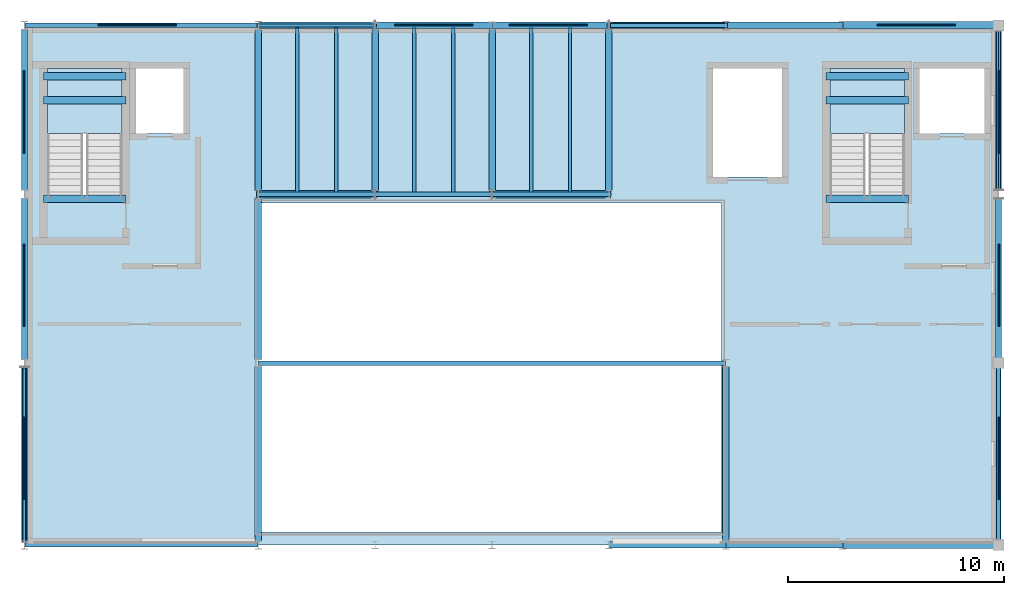
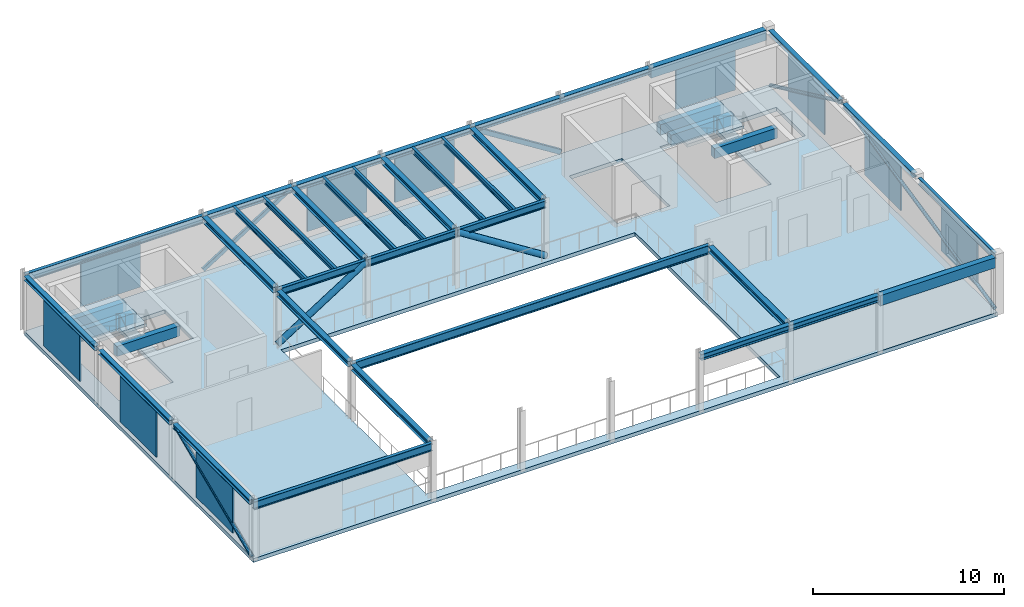
# One storey, part 3 of 12: 40 beams, 10 plates, 7 members, 3 slabs, 2 elements without a shape of their own.
"""IFC4 building model written with IfcOpenShell, lengths in metres."""

from ifc_helpers import new_model, si_unit, direction, frame, origin, origin_2d, place, context, subcontext, project, spatial, polyline, rectangle, hollow_rectangle, hollow_circle, i_section, outline, extrude, material, layer, layer_set, material_profile, profile_set, type_object, element, aggregate, save


model = new_model("IFC4")

# Units and contexts
model_context = context("Model", 3, precision=1e-05, world=origin(), true_north=direction((0.0, 1.0)))
body_context = subcontext(model_context, "Body", "Model", "MODEL_VIEW")
ifc_project = project(units=[si_unit("LENGTHUNIT", "METRE"), si_unit("AREAUNIT", "SQUARE_METRE"), si_unit("VOLUMEUNIT", "CUBIC_METRE"), si_unit("PLANEANGLEUNIT", "RADIAN"), si_unit("MASSUNIT", "GRAM", prefix="KILO")], contexts=[model_context])

# Site, building, storey
site_placement = place(None, origin())
site = spatial("IfcSite", under=ifc_project, at=site_placement, CompositionType="ELEMENT")
building_placement = place(site_placement, origin())
building = spatial("IfcBuilding", under=site, at=building_placement, Name="Tazoul Stagehouse", CompositionType="ELEMENT")
storey_placement = place(building_placement, frame((0.0, 0.0, 17.10009765625)))
storey = spatial("IfcBuildingStorey", under=building, at=storey_placement, Name="L04", CompositionType="ELEMENT", Elevation=17.10009765625)

# Members
ifc_material_1 = material(Name="Steel S355", Category="steel")
ifc_material_profile_1 = material_profile(ifc_material_1, hollow_circle(Radius=0.109619140625, WallThickness=0.010009765625, at=origin_2d()), Name="CHS 219.1x10")
ifc_profile_set_1 = profile_set([ifc_material_profile_1], Name="Steel S355")
member_type_1 = type_object("IfcMemberType", Name="Fly-Tower Upper Brace CHS 219.1x10 (Exterior)", PredefinedType="BRACE", material=ifc_profile_set_1)
member_1_placement = place(storey_placement, frame((57.60009765625, 87.919921875, 0.0498046875), z_axis=(0.0, 0.91797032685, 0.396649062804), x_axis=(-1.0, 0.0, 0.0)))
element("IfcMember", 1, at=member_1_placement, inside=storey, type_object=member_type_1, Name="L04 Concentric Brace BR-02E (BR-FT-L04-W1)", PredefinedType="BRACE", context=body_context, shape_type="SweptSolid", body=[
    extrude(hollow_circle(Radius=0.109619140625, WallThickness=0.010009765625, at=origin_2d()), origin(), (0.0, 0.0, 1.0), 8.823974609375),
])
member_2_placement = place(storey_placement, frame((102.60009765625, 88.050048828125, 0.119873046875), z_axis=(0.0, 0.97709879182, 0.212786162672), x_axis=(-1.0, 0.0, 0.0)))
element("IfcMember", 2, at=member_2_placement, inside=storey, type_object=member_type_1, Name="L04 Concentric Brace BR-02E (BR-FT-L04-E1)", PredefinedType="BRACE", context=body_context, shape_type="SweptSolid", body=[
    extrude(hollow_circle(Radius=0.109619140625, WallThickness=0.010009765625, at=origin_2d()), origin(), (0.0, 0.0, 1.0), 16.119140625),
])
member_3_placement = place(storey_placement, frame((102.60009765625, 111.550048828125, 0.119873046875), z_axis=(0.0, -0.906188522756, 0.422873930652), x_axis=(1.0, 0.0, 0.0)))
element("IfcMember", 3, at=member_3_placement, inside=storey, type_object=member_type_1, Name="L04 Concentric Brace BR-02E (BR-FT-L04-E2)", PredefinedType="BRACE", context=body_context, shape_type="SweptSolid", body=[
    extrude(hollow_circle(Radius=0.109619140625, WallThickness=0.010009765625, at=origin_2d()), origin(), (0.0, 0.0, 1.0), 8.111083984375),
])
ifc_material_profile_2 = material_profile(ifc_material_1, hollow_rectangle(XDim=0.199951171875, YDim=0.300048828125, WallThickness=0.012451171875, InnerFilletRadius=0.012451171875, OuterFilletRadius=0.018798828125, at=origin_2d()), Name="RHS 300x200x12.5")
ifc_profile_set_2 = profile_set([ifc_material_profile_2], Name="Steel S355")
member_type_2 = type_object("IfcMemberType", Name="Heavy Frame Brace RHS 300x200x12.5 (Exterior)", PredefinedType="BRACE", material=ifc_profile_set_2)
member_4_placement = place(storey_placement, frame((90.0, 111.800048828125, 0.14990234375), z_axis=(-0.84623539576, 0.0, 0.532809210659), x_axis=(0.0, -1.0, 0.0)))
element("IfcMember", 4, at=member_4_placement, inside=storey, type_object=member_type_2, Name="L04 Concentric Brace BR-06E (BR-FT-L04-N2)", PredefinedType="BRACE", context=body_context, shape_type="SweptSolid", body=[
    extrude(hollow_rectangle(XDim=0.199951171875, YDim=0.300048828125, WallThickness=0.012451171875, InnerFilletRadius=0.012451171875, OuterFilletRadius=0.018798828125, at=origin_2d()), origin(), (0.0, 0.0, 1.0), 6.381103515625),
])
ifc_material_profile_3 = material_profile(ifc_material_1, hollow_rectangle(XDim=0.14990234375, YDim=0.25, WallThickness=0.010009765625, InnerFilletRadius=0.010009765625, OuterFilletRadius=0.014892578125, at=origin_2d()), Name="RHS 250x150x10")
ifc_profile_set_3 = profile_set([ifc_material_profile_3], Name="Steel S355")
member_type_3 = type_object("IfcMemberType", Name="Lateral Frame Brace RHS 250x150x10 (Exterior)", PredefinedType="BRACE", material=ifc_profile_set_3)
member_5_placement = place(storey_placement, frame((68.39990234375, 111.800048828125, 0.14990234375), z_axis=(0.846246256707, 0.0, 0.532791960346), x_axis=(0.0, 1.0, 0.0)))
element("IfcMember", 5, at=member_5_placement, inside=storey, type_object=member_type_3, Name="L04 Concentric Brace BR-05E (BR-FT-L04-N1)", PredefinedType="BRACE", context=body_context, shape_type="SweptSolid", body=[
    extrude(hollow_rectangle(XDim=0.14990234375, YDim=0.25, WallThickness=0.010009765625, InnerFilletRadius=0.010009765625, OuterFilletRadius=0.014892578125, at=origin_2d()), origin(), (0.0, 0.0, 1.0), 6.38134765625),
])

# Beams
ifc_material_2 = material(Name="Concrete C40/50", Category="concrete")
ifc_material_profile_4 = material_profile(ifc_material_2, rectangle(XDim=0.35009765625, YDim=0.64990234375, at=origin_2d()), Name="RC 350x650")
ifc_profile_set_4 = profile_set([ifc_material_profile_4], Name="Concrete C40/50")
beam_type_1 = type_object("IfcBeamType", Name="RC Perimeter Spandrel 350x650 (Exterior)", PredefinedType="SPANDREL", material=ifc_profile_set_4)
for number, where, z_axis, x_axis, name in (
    (6, (95.409912109375, 87.800048828125, 3.352783203125), (1.0, 0.0, 0.0), (0.0, 1.0, 0.0), "L04 Beam SP-01E N/15-16"),
    (7, (95.409912109375, 111.800048828125, 3.352783203125), (1.0, 0.0, 0.0), (0.0, 1.0, 0.0), "L04 Beam SP-01E R/15-16"),
):
    element("IfcBeam", number, at=place(storey_placement, frame(where, z_axis=z_axis, x_axis=x_axis)), inside=storey, type_object=beam_type_1, Name=name, PredefinedType="SPANDREL", context=body_context, shape_type="SweptSolid", body=[
        extrude(rectangle(XDim=0.35009765625, YDim=0.64990234375, at=origin_2d()), origin(), (0.0, 0.0, 1.0), 6.965087890625),
    ])
ifc_material_profile_5 = material_profile(ifc_material_2, rectangle(XDim=0.35009765625, YDim=0.64990234375, at=origin_2d()), Name="RC 350x650")
ifc_profile_set_5 = profile_set([ifc_material_profile_5], Name="Concrete C40/50")
beam_type_2 = type_object("IfcBeamType", Name="RC Primary Girder 350x650", PredefinedType="BEAM", material=ifc_profile_set_5)
for number, where, z_axis, x_axis, name in (
    (8, (94.6201171875, 108.35009765625, 1.429931640625), (1.0, 0.0, 0.0), (0.0, 1.0, 0.0), "L04 Stair Half-Landing Trimmer BM-01 (ST-01-1)"),
    (9, (94.6201171875, 109.449951171875, 1.429931640625), (1.0, 0.0, 0.0), (0.0, 1.0, 0.0), "L04 Stair Half-Landing Trimmer BM-01 (ST-01-2)"),
    (10, (94.6201171875, 103.800048828125, 3.3349609375), (1.0, 0.0, 0.0), (0.0, 1.0, 0.0), "L04 Stair Landing Trimmer BM-01 (ST-01-FL)"),
):
    element("IfcBeam", number, at=place(storey_placement, frame(where, z_axis=z_axis, x_axis=x_axis)), inside=storey, type_object=beam_type_2, Name=name, PredefinedType="BEAM", context=body_context, shape_type="SweptSolid", body=[
        extrude(rectangle(XDim=0.35009765625, YDim=0.64990234375, at=origin_2d()), origin(), (0.0, 0.0, 1.0), 3.809814453125),
    ])
for number, where, z_axis, x_axis, name in (
    (11, (58.469970703125, 108.35009765625, 1.429931640625), (1.0, 0.0, 0.0), (0.0, 1.0, 0.0), "L04 Stair Half-Landing Trimmer BM-01 (ST-03-1)"),
    (12, (58.469970703125, 109.449951171875, 1.429931640625), (1.0, 0.0, 0.0), (0.0, 1.0, 0.0), "L04 Stair Half-Landing Trimmer BM-01 (ST-03-2)"),
    (13, (58.469970703125, 103.800048828125, 3.3349609375), (1.0, 0.0, 0.0), (0.0, 1.0, 0.0), "L04 Stair Landing Trimmer BM-01 (ST-03-FL)"),
):
    element("IfcBeam", number, at=place(storey_placement, frame(where, z_axis=z_axis, x_axis=x_axis)), inside=storey, type_object=beam_type_2, Name=name, PredefinedType="BEAM", context=body_context, shape_type="SweptSolid", body=[
        extrude(rectangle(XDim=0.35009765625, YDim=0.64990234375, at=origin_2d()), origin(), (0.0, 0.0, 1.0), 3.81005859375),
    ])

# Members
ifc_material_profile_6 = material_profile(ifc_material_1, hollow_circle(Radius=0.177734375, WallThickness=0.01416015625, at=origin_2d()), Name="CHS 355.6x14.2")
ifc_profile_set_6 = profile_set([ifc_material_profile_6], Name="Steel S355")
member_type_4 = type_object("IfcMemberType", Name="Stagehouse Frame Brace CHS 355.6x14.2", PredefinedType="BRACE", material=ifc_profile_set_6)
for number, where, z_axis, x_axis, name in (
    (14, (68.39990234375, 104.0, 0.119873046875), (0.84412316984, 0.0, 0.536149302097), (0.0, 1.0, 0.0), "L04 Concentric Brace BR-04 (BR-FT-L04-IN1)"),
    (15, (84.60009765625, 104.0, 0.119873046875), (-0.84412316984, 0.0, 0.536149302097), (0.0, -1.0, 0.0), "L04 Concentric Brace BR-04 (BR-FT-L04-IN2)"),
):
    element("IfcMember", number, at=place(storey_placement, frame(where, z_axis=z_axis, x_axis=x_axis)), inside=storey, type_object=member_type_4, Name=name, PredefinedType="BRACE", context=body_context, shape_type="SweptSolid", body=[
        extrude(hollow_circle(Radius=0.177734375, WallThickness=0.01416015625, at=origin_2d()), origin(), (0.0, 0.0, 1.0), 6.3974609375),
    ])

# Beams
ifc_material_profile_7 = material_profile(ifc_material_1, i_section(OverallWidth=0.280029296875, OverallDepth=0.27001953125, WebThickness=0.008056640625, FlangeThickness=0.012939453125, FilletRadius=0.02392578125, at=origin_2d()), Name="HEA 280")
ifc_profile_set_7 = profile_set([ifc_material_profile_7], Name="Steel S355")
beam_type_3 = type_object("IfcBeamType", Name="Steel Facade Spandrel HEA 280 (Exterior)", PredefinedType="SPANDREL", material=ifc_profile_set_7)
beam_1_placement = place(storey_placement, frame((57.60009765625, 87.97509765625, 3.54296875), z_axis=(0.0, 1.0, 0.0), x_axis=(-1.0, 0.0, 0.0)))
element("IfcBeam", 16, at=beam_1_placement, inside=storey, type_object=beam_type_3, Name="L04 Beam SP-02E 8/N-P", PredefinedType="SPANDREL", context=body_context, shape_type="SweptSolid", body=[
    extrude(i_section(OverallWidth=0.280029296875, OverallDepth=0.27001953125, WebThickness=0.008056640625, FlangeThickness=0.012939453125, FilletRadius=0.02392578125, at=origin_2d()), origin(), (0.0, 0.0, 1.0), 8.06982421875),
])
beam_2_placement = place(storey_placement, frame((57.60009765625, 96.35498046875, 3.54296875), z_axis=(0.0, 1.0, 0.0), x_axis=(-1.0, 0.0, 0.0)))
element("IfcBeam", 17, at=beam_2_placement, inside=storey, type_object=beam_type_3, Name="L04 Beam SP-02E 8/P-Q", PredefinedType="SPANDREL", context=body_context, shape_type="SweptSolid", body=[
    extrude(i_section(OverallWidth=0.280029296875, OverallDepth=0.27001953125, WebThickness=0.008056640625, FlangeThickness=0.012939453125, FilletRadius=0.02392578125, at=origin_2d()), origin(), (0.0, 0.0, 1.0), 7.469970703125),
])
beam_3_placement = place(storey_placement, frame((57.60009765625, 104.175048828125, 3.54296875), z_axis=(0.0, 1.0, 0.0), x_axis=(-1.0, 0.0, 0.0)))
element("IfcBeam", 18, at=beam_3_placement, inside=storey, type_object=beam_type_3, Name="L04 Beam SP-02E 8/Q-R", PredefinedType="SPANDREL", context=body_context, shape_type="SweptSolid", body=[
    extrude(i_section(OverallWidth=0.280029296875, OverallDepth=0.27001953125, WebThickness=0.008056640625, FlangeThickness=0.012939453125, FilletRadius=0.02392578125, at=origin_2d()), origin(), (0.0, 0.0, 1.0), 7.449951171875),
])
for number, where, z_axis, x_axis, name in (
    (19, (102.60009765625, 96.425048828125, 3.54296875), (0.0, 1.0, 0.0), (-1.0, 0.0, 0.0), "L04 Beam SP-02E 16/P-Q"),
    (20, (102.60009765625, 104.175048828125, 3.54296875), (0.0, 1.0, 0.0), (-1.0, 0.0, 0.0), "L04 Beam SP-02E 16/Q-R"),
):
    element("IfcBeam", number, at=place(storey_placement, frame(where, z_axis=z_axis, x_axis=x_axis)), inside=storey, type_object=beam_type_3, Name=name, PredefinedType="SPANDREL", context=body_context, shape_type="SweptSolid", body=[
        extrude(i_section(OverallWidth=0.280029296875, OverallDepth=0.27001953125, WebThickness=0.008056640625, FlangeThickness=0.012939453125, FilletRadius=0.02392578125, at=origin_2d()), origin(), (0.0, 0.0, 1.0), 7.39990234375),
    ])
ifc_material_profile_8 = material_profile(ifc_material_1, i_section(OverallWidth=0.300048828125, OverallDepth=0.35009765625, WebThickness=0.010009765625, FlangeThickness=0.017578125, FilletRadius=0.027099609375, at=origin_2d()), Name="HEA 360")
ifc_profile_set_8 = profile_set([ifc_material_profile_8], Name="Steel S355")
beam_type_4 = type_object("IfcBeamType", Name="Steel Fly-Tower Ring Beam HEA 360", PredefinedType="BEAM", material=ifc_profile_set_8)
beam_4_placement = place(storey_placement, frame((68.39990234375, 87.97509765625, 3.5029296875), z_axis=(0.0, 1.0, 0.0), x_axis=(-1.0, 0.0, 0.0)))
element("IfcBeam", 21, at=beam_4_placement, inside=storey, type_object=beam_type_4, Name="L04 Beam SB-07 10/N-P", PredefinedType="BEAM", context=body_context, shape_type="SweptSolid", body=[
    extrude(i_section(OverallWidth=0.300048828125, OverallDepth=0.35009765625, WebThickness=0.010009765625, FlangeThickness=0.017578125, FilletRadius=0.027099609375, at=origin_2d()), origin(), (0.0, 0.0, 1.0), 8.06982421875),
])
beam_5_placement = place(storey_placement, frame((68.39990234375, 96.35498046875, 3.5029296875), z_axis=(0.0, 1.0, 0.0), x_axis=(-1.0, 0.0, 0.0)))
element("IfcBeam", 22, at=beam_5_placement, inside=storey, type_object=beam_type_4, Name="L04 Beam SB-07 10/P-Q", PredefinedType="BEAM", context=body_context, shape_type="SweptSolid", body=[
    extrude(i_section(OverallWidth=0.300048828125, OverallDepth=0.35009765625, WebThickness=0.010009765625, FlangeThickness=0.017578125, FilletRadius=0.027099609375, at=origin_2d()), origin(), (0.0, 0.0, 1.0), 7.469970703125),
])
beam_6_placement = place(storey_placement, frame((68.39990234375, 104.175048828125, 3.5029296875), z_axis=(0.0, 1.0, 0.0), x_axis=(-1.0, 0.0, 0.0)))
element("IfcBeam", 23, at=beam_6_placement, inside=storey, type_object=beam_type_4, Name="L04 Beam SB-07 10/Q-R", PredefinedType="BEAM", context=body_context, shape_type="SweptSolid", body=[
    extrude(i_section(OverallWidth=0.300048828125, OverallDepth=0.35009765625, WebThickness=0.010009765625, FlangeThickness=0.017578125, FilletRadius=0.027099609375, at=origin_2d()), origin(), (0.0, 0.0, 1.0), 7.449951171875),
])
for number, where, z_axis, x_axis, name in (
    (24, (73.800048828125, 104.155029296875, 3.5029296875), (0.0, 1.0, 0.0), (-1.0, 0.0, 0.0), "L04 Beam SB-07 11/Q-R"),
    (25, (79.199951171875, 104.155029296875, 3.5029296875), (0.0, 1.0, 0.0), (-1.0, 0.0, 0.0), "L04 Beam SB-07 12/Q-R"),
    (26, (84.60009765625, 104.155029296875, 3.5029296875), (0.0, 1.0, 0.0), (-1.0, 0.0, 0.0), "L04 Beam SB-07 13/Q-R"),
):
    element("IfcBeam", number, at=place(storey_placement, frame(where, z_axis=z_axis, x_axis=x_axis)), inside=storey, type_object=beam_type_4, Name=name, PredefinedType="BEAM", context=body_context, shape_type="SweptSolid", body=[
        extrude(i_section(OverallWidth=0.300048828125, OverallDepth=0.35009765625, WebThickness=0.010009765625, FlangeThickness=0.017578125, FilletRadius=0.027099609375, at=origin_2d()), origin(), (0.0, 0.0, 1.0), 7.489990234375),
    ])
beam_7_placement = place(storey_placement, frame((90.0, 87.97509765625, 3.5029296875), z_axis=(0.0, 1.0, 0.0), x_axis=(-1.0, 0.0, 0.0)))
element("IfcBeam", 27, at=beam_7_placement, inside=storey, type_object=beam_type_4, Name="L04 Beam SB-07 14/N-P", PredefinedType="BEAM", context=body_context, shape_type="SweptSolid", body=[
    extrude(i_section(OverallWidth=0.300048828125, OverallDepth=0.35009765625, WebThickness=0.010009765625, FlangeThickness=0.017578125, FilletRadius=0.027099609375, at=origin_2d()), origin(), (0.0, 0.0, 1.0), 8.06982421875),
])
ifc_material_profile_9 = material_profile(ifc_material_1, i_section(OverallWidth=0.300048828125, OverallDepth=0.389892578125, WebThickness=0.010986328125, FlangeThickness=0.01904296875, FilletRadius=0.027099609375, at=origin_2d()), Name="HEA 400")
ifc_profile_set_9 = profile_set([ifc_material_profile_9], Name="Steel S355")
beam_type_5 = type_object("IfcBeamType", Name="Steel Fly-Tower Spandrel HEA 400 (Exterior)", PredefinedType="SPANDREL", material=ifc_profile_set_9)
for number, where, z_axis, x_axis, name in (
    (28, (84.610107421875, 87.800048828125, 3.48291015625), (1.0, 0.0, 0.0), (0.0, 1.0, 0.0), "L04 Beam SP-04E N/13-14"),
    (29, (90.010009765625, 87.800048828125, 3.48291015625), (1.0, 0.0, 0.0), (0.0, 1.0, 0.0), "L04 Beam SP-04E N/14-15"),
):
    element("IfcBeam", number, at=place(storey_placement, frame(where, z_axis=z_axis, x_axis=x_axis)), inside=storey, type_object=beam_type_5, Name=name, PredefinedType="SPANDREL", context=body_context, shape_type="SweptSolid", body=[
        extrude(i_section(OverallWidth=0.300048828125, OverallDepth=0.389892578125, WebThickness=0.010986328125, FlangeThickness=0.01904296875, FilletRadius=0.027099609375, at=origin_2d()), origin(), (0.0, 0.0, 1.0), 5.3798828125),
    ])
beam_8_placement = place(storey_placement, frame((68.409912109375, 111.800048828125, 3.48291015625), z_axis=(1.0, 0.0, 0.0), x_axis=(0.0, 1.0, 0.0)))
element("IfcBeam", 30, at=beam_8_placement, inside=storey, type_object=beam_type_5, Name="L04 Beam SP-04E R/10-11", PredefinedType="SPANDREL", context=body_context, shape_type="SweptSolid", body=[
    extrude(i_section(OverallWidth=0.300048828125, OverallDepth=0.389892578125, WebThickness=0.010986328125, FlangeThickness=0.01904296875, FilletRadius=0.027099609375, at=origin_2d()), origin(), (0.0, 0.0, 1.0), 5.380126953125),
])
beam_9_placement = place(storey_placement, frame((73.81005859375, 111.800048828125, 3.48291015625), z_axis=(1.0, 0.0, 0.0), x_axis=(0.0, 1.0, 0.0)))
element("IfcBeam", 31, at=beam_9_placement, inside=storey, type_object=beam_type_5, Name="L04 Beam SP-04E R/11-12", PredefinedType="SPANDREL", context=body_context, shape_type="SweptSolid", body=[
    extrude(i_section(OverallWidth=0.300048828125, OverallDepth=0.389892578125, WebThickness=0.010986328125, FlangeThickness=0.01904296875, FilletRadius=0.027099609375, at=origin_2d()), origin(), (0.0, 0.0, 1.0), 5.3798828125),
])
beam_10_placement = place(storey_placement, frame((79.2099609375, 111.800048828125, 3.48291015625), z_axis=(1.0, 0.0, 0.0), x_axis=(0.0, 1.0, 0.0)))
element("IfcBeam", 32, at=beam_10_placement, inside=storey, type_object=beam_type_5, Name="L04 Beam SP-04E R/12-13", PredefinedType="SPANDREL", context=body_context, shape_type="SweptSolid", body=[
    extrude(i_section(OverallWidth=0.300048828125, OverallDepth=0.389892578125, WebThickness=0.010986328125, FlangeThickness=0.01904296875, FilletRadius=0.027099609375, at=origin_2d()), origin(), (0.0, 0.0, 1.0), 5.380126953125),
])
for number, where, z_axis, x_axis, name in (
    (33, (84.610107421875, 111.800048828125, 3.48291015625), (1.0, 0.0, 0.0), (0.0, 1.0, 0.0), "L04 Beam SP-04E R/13-14"),
    (34, (90.010009765625, 111.800048828125, 3.48291015625), (1.0, 0.0, 0.0), (0.0, 1.0, 0.0), "L04 Beam SP-04E R/14-15"),
):
    element("IfcBeam", number, at=place(storey_placement, frame(where, z_axis=z_axis, x_axis=x_axis)), inside=storey, type_object=beam_type_5, Name=name, PredefinedType="SPANDREL", context=body_context, shape_type="SweptSolid", body=[
        extrude(i_section(OverallWidth=0.300048828125, OverallDepth=0.389892578125, WebThickness=0.010986328125, FlangeThickness=0.01904296875, FilletRadius=0.027099609375, at=origin_2d()), origin(), (0.0, 0.0, 1.0), 5.3798828125),
    ])
ifc_material_profile_10 = material_profile(ifc_material_1, i_section(OverallWidth=0.2099609375, OverallDepth=0.550048828125, WebThickness=0.010986328125, FlangeThickness=0.01708984375, FilletRadius=0.02392578125, at=origin_2d()), Name="IPE 550")
ifc_profile_set_10 = profile_set([ifc_material_profile_10], Name="Steel S355")
beam_type_6 = type_object("IfcBeamType", Name="Steel Hall Girder IPE 550", PredefinedType="BEAM", material=ifc_profile_set_10)
beam_11_placement = place(storey_placement, frame((68.409912109375, 96.199951171875, 3.40283203125), z_axis=(1.0, 0.0, 0.0), x_axis=(0.0, 1.0, 0.0)))
element("IfcBeam", 35, at=beam_11_placement, inside=storey, type_object=beam_type_6, Name="L04 Beam SB-05 P/10-14", PredefinedType="BEAM", context=body_context, shape_type="SweptSolid", body=[
    extrude(i_section(OverallWidth=0.2099609375, OverallDepth=0.550048828125, WebThickness=0.010986328125, FlangeThickness=0.01708984375, FilletRadius=0.02392578125, at=origin_2d()), origin(), (0.0, 0.0, 1.0), 21.580078125),
])
ifc_material_profile_11 = material_profile(ifc_material_1, i_section(OverallWidth=0.199951171875, OverallDepth=0.5, WebThickness=0.01025390625, FlangeThickness=0.01611328125, FilletRadius=0.02099609375, at=origin_2d()), Name="IPE 500")
ifc_profile_set_11 = profile_set([ifc_material_profile_11], Name="Steel S355")
beam_type_7 = type_object("IfcBeamType", Name="Steel Long-Span Girder IPE 500 (Exterior)", PredefinedType="BEAM", material=ifc_profile_set_11)
for number, where, z_axis, x_axis, name in (
    (36, (57.610107421875, 87.800048828125, 3.427978515625), (1.0, 0.0, 0.0), (0.0, 1.0, 0.0), "L04 Beam SB-04E N/8-10"),
    (37, (57.610107421875, 111.800048828125, 3.427978515625), (1.0, 0.0, 0.0), (0.0, 1.0, 0.0), "L04 Beam SB-04E R/8-10"),
):
    element("IfcBeam", number, at=place(storey_placement, frame(where, z_axis=z_axis, x_axis=x_axis)), inside=storey, type_object=beam_type_7, Name=name, PredefinedType="BEAM", context=body_context, shape_type="SweptSolid", body=[
        extrude(i_section(OverallWidth=0.199951171875, OverallDepth=0.5, WebThickness=0.01025390625, FlangeThickness=0.01611328125, FilletRadius=0.02099609375, at=origin_2d()), origin(), (0.0, 0.0, 1.0), 10.77978515625),
    ])
ifc_material_profile_12 = material_profile(ifc_material_1, i_section(OverallWidth=0.179931640625, OverallDepth=0.39990234375, WebThickness=0.008544921875, FlangeThickness=0.013427734375, FilletRadius=0.02099609375, at=origin_2d()), Name="IPE 400")
ifc_profile_set_12 = profile_set([ifc_material_profile_12], Name="Steel S355")
beam_type_8 = type_object("IfcBeamType", Name="Steel Primary Girder IPE 400 (Exterior)", PredefinedType="BEAM", material=ifc_profile_set_12)
beam_12_placement = place(storey_placement, frame((102.60009765625, 88.02490234375, 3.477783203125), z_axis=(0.0, 1.0, 0.0), x_axis=(-1.0, 0.0, 0.0)))
element("IfcBeam", 38, at=beam_12_placement, inside=storey, type_object=beam_type_8, Name="L04 Beam SB-02E 16/N-P", PredefinedType="BEAM", context=body_context, shape_type="SweptSolid", body=[
    extrude(i_section(OverallWidth=0.179931640625, OverallDepth=0.39990234375, WebThickness=0.008544921875, FlangeThickness=0.013427734375, FilletRadius=0.02099609375, at=origin_2d()), origin(), (0.0, 0.0, 1.0), 7.9501953125),
])
ifc_material_profile_13 = material_profile(ifc_material_1, i_section(OverallWidth=0.159912109375, OverallDepth=0.330078125, WebThickness=0.007568359375, FlangeThickness=0.011474609375, FilletRadius=0.01806640625, at=origin_2d()), Name="IPE 330")
ifc_profile_set_13 = profile_set([ifc_material_profile_13], Name="Steel S355")
beam_type_9 = type_object("IfcBeamType", Name="Steel Rehearsal Joist IPE 330", PredefinedType="JOIST", material=ifc_profile_set_13)
for number, where, z_axis, x_axis, name in (
    (39, (70.199951171875, 104.070068359375, 3.512939453125), (0.0, 1.0, 0.0), (-1.0, 0.0, 0.0), "L04 Joist JS-04 10/Q-1"),
    (40, (72.0, 104.070068359375, 3.512939453125), (0.0, 1.0, 0.0), (-1.0, 0.0, 0.0), "L04 Joist JS-04 10/Q-2"),
    (41, (75.60009765625, 104.070068359375, 3.512939453125), (0.0, 1.0, 0.0), (-1.0, 0.0, 0.0), "L04 Joist JS-04 11/Q-1"),
    (42, (77.39990234375, 104.070068359375, 3.512939453125), (0.0, 1.0, 0.0), (-1.0, 0.0, 0.0), "L04 Joist JS-04 11/Q-2"),
    (43, (81.0, 104.070068359375, 3.512939453125), (0.0, 1.0, 0.0), (-1.0, 0.0, 0.0), "L04 Joist JS-04 12/Q-1"),
    (44, (82.800048828125, 104.070068359375, 3.512939453125), (0.0, 1.0, 0.0), (-1.0, 0.0, 0.0), "L04 Joist JS-04 12/Q-2"),
):
    element("IfcBeam", number, at=place(storey_placement, frame(where, z_axis=z_axis, x_axis=x_axis)), inside=storey, type_object=beam_type_9, Name=name, PredefinedType="JOIST", context=body_context, shape_type="SweptSolid", body=[
        extrude(i_section(OverallWidth=0.159912109375, OverallDepth=0.330078125, WebThickness=0.007568359375, FlangeThickness=0.011474609375, FilletRadius=0.01806640625, at=origin_2d()), origin(), (0.0, 0.0, 1.0), 7.60498046875),
    ])
ifc_material_profile_14 = material_profile(ifc_material_1, i_section(OverallWidth=0.18994140625, OverallDepth=0.449951171875, WebThickness=0.009521484375, FlangeThickness=0.0146484375, FilletRadius=0.02099609375, at=origin_2d()), Name="IPE 450")
ifc_profile_set_14 = profile_set([ifc_material_profile_14], Name="Steel S355")
beam_type_10 = type_object("IfcBeamType", Name="Steel Stage Girder IPE 450", PredefinedType="BEAM", material=ifc_profile_set_14)
beam_13_placement = place(storey_placement, frame((68.409912109375, 104.0, 3.452880859375), z_axis=(1.0, 0.0, 0.0), x_axis=(0.0, 1.0, 0.0)))
element("IfcBeam", 45, at=beam_13_placement, inside=storey, type_object=beam_type_10, Name="L04 Beam SB-03 Q/10-11", PredefinedType="BEAM", context=body_context, shape_type="SweptSolid", body=[
    extrude(i_section(OverallWidth=0.18994140625, OverallDepth=0.449951171875, WebThickness=0.009521484375, FlangeThickness=0.0146484375, FilletRadius=0.02099609375, at=origin_2d()), origin(), (0.0, 0.0, 1.0), 5.380126953125),
])
beam_14_placement = place(storey_placement, frame((73.81005859375, 104.0, 3.452880859375), z_axis=(1.0, 0.0, 0.0), x_axis=(0.0, 1.0, 0.0)))
element("IfcBeam", 46, at=beam_14_placement, inside=storey, type_object=beam_type_10, Name="L04 Beam SB-03 Q/11-12", PredefinedType="BEAM", context=body_context, shape_type="SweptSolid", body=[
    extrude(i_section(OverallWidth=0.18994140625, OverallDepth=0.449951171875, WebThickness=0.009521484375, FlangeThickness=0.0146484375, FilletRadius=0.02099609375, at=origin_2d()), origin(), (0.0, 0.0, 1.0), 5.3798828125),
])
beam_15_placement = place(storey_placement, frame((79.2099609375, 104.0, 3.452880859375), z_axis=(1.0, 0.0, 0.0), x_axis=(0.0, 1.0, 0.0)))
element("IfcBeam", 47, at=beam_15_placement, inside=storey, type_object=beam_type_10, Name="L04 Beam SB-03 Q/12-13", PredefinedType="BEAM", context=body_context, shape_type="SweptSolid", body=[
    extrude(i_section(OverallWidth=0.18994140625, OverallDepth=0.449951171875, WebThickness=0.009521484375, FlangeThickness=0.0146484375, FilletRadius=0.02099609375, at=origin_2d()), origin(), (0.0, 0.0, 1.0), 5.380126953125),
])

# Stair, slab
stair_type_1 = type_object("IfcStairType", Name="Protected Core Dogleg Stair 4800", PredefinedType="HALF_TURN_STAIR", material=ifc_material_2)
stair_1_placement = place(storey_placement, origin())
stair_1 = element("IfcStair", 48, at=stair_1_placement, inside=storey, type_object=stair_type_1, Name="L04 Core Escape Stair ST-01", PredefinedType="HALF_TURN_STAIR")
ifc_layer_1 = layer(ifc_material_2, 0.179931640625, Name="Concrete C40/50")
ifc_layer_set_1 = layer_set([ifc_layer_1], Name="Concrete C40/50")
slab_type_1 = type_object("IfcSlabType", Name="Core Half-Landing Slab 180", PredefinedType="LANDING", material=ifc_layer_set_1)
slab_1_placement = place(storey_placement, frame((0.0, 0.0, 1.75)))
slab_1 = element("IfcSlab", 49, at=slab_1_placement, type_object=slab_type_1, Name="ST-01 landing 1", PredefinedType="LANDING", context=body_context, shape_type="SweptSolid", body=[
    extrude(outline(polyline([(98.25, 106.800048828125), (98.25, 109.800048828125), (94.800048828125, 109.800048828125), (94.800048828125, 106.800048828125), (98.25, 106.800048828125)])), origin(), (0.0, 0.0, 1.0), 0.199951171875),
])
aggregate(stair_1, [slab_1])

stair_type_2 = type_object("IfcStairType", Name="Protected Core Dogleg Stair 3900", PredefinedType="HALF_TURN_STAIR", material=ifc_material_2)
stair_2_placement = place(storey_placement, origin())
stair_2 = element("IfcStair", 50, at=stair_2_placement, inside=storey, type_object=stair_type_2, Name="L04 Core Escape Stair ST-03", PredefinedType="HALF_TURN_STAIR")
slab_2_placement = place(storey_placement, frame((0.0, 0.0, 1.75)))
slab_2 = element("IfcSlab", 51, at=slab_2_placement, type_object=slab_type_1, Name="ST-03 landing 1", PredefinedType="LANDING", context=body_context, shape_type="SweptSolid", body=[
    extrude(outline(polyline([(62.10009765625, 106.800048828125), (62.10009765625, 109.800048828125), (58.64990234375, 109.800048828125), (58.64990234375, 106.800048828125), (62.10009765625, 106.800048828125)])), origin(), (0.0, 0.0, 1.0), 0.199951171875),
])
aggregate(stair_2, [slab_2])

# Plates
ifc_material_3 = material(Name="Anodised Bronze Aluminium 6063-T6", Category="aluminium")
ifc_layer_2 = layer(ifc_material_3, 0.080078125, Name="Anodised Bronze Aluminium 6063-T6")
ifc_layer_set_2 = layer_set([ifc_layer_2], Name="Anodised Bronze Aluminium 6063-T6")
plate_type = type_object("IfcPlateType", Name="Fly-Tower Acoustic Metal Cladding Cassette 80", PredefinedType="USERDEFINED", material=ifc_layer_set_2)
for number, where, z_axis, x_axis, name in (
    (52, (57.580078125, 91.800048828125, 0.375), (0.0, 0.0, 1.0), (0.0, 1.0, 0.0), "L04 Fly-Tower Metal Cladding Panel MTL-01 W1"),
    (53, (102.6201171875, 91.800048828125, 0.375), (0.0, 0.0, 1.0), (0.0, 1.0, 0.0), "L04 Fly-Tower Metal Cladding Panel MTL-01 E1"),
    (54, (57.580078125, 99.800048828125, 0.375), (0.0, 0.0, 1.0), (0.0, 1.0, 0.0), "L04 Fly-Tower Metal Cladding Panel MTL-01 W2"),
    (55, (102.6201171875, 99.800048828125, 0.375), (0.0, 0.0, 1.0), (0.0, 1.0, 0.0), "L04 Fly-Tower Metal Cladding Panel MTL-01 E2"),
    (56, (57.580078125, 107.800048828125, 0.375), (0.0, 0.0, 1.0), (0.0, 1.0, 0.0), "L04 Fly-Tower Metal Cladding Panel MTL-01 W3"),
    (57, (102.6201171875, 107.800048828125, 0.375), (0.0, 0.0, 1.0), (0.0, 1.0, 0.0), "L04 Fly-Tower Metal Cladding Panel MTL-01 E3"),
):
    element("IfcPlate", number, at=place(storey_placement, frame(where, z_axis=z_axis, x_axis=x_axis)), inside=storey, type_object=plate_type, Name=name, ObjectType="CLADDING PANEL", PredefinedType="USERDEFINED", context=body_context, shape_type="SweptSolid", body=[
        extrude(rectangle(XDim=3.800048828125, YDim=0.080078125, at=origin_2d()), origin(), (0.0, 0.0, 1.0), 2.89990234375),
    ])
for number, where, z_axis, x_axis, name in (
    (58, (62.800048828125, 111.820068359375, 0.375), (0.0, 0.0, 1.0), (1.0, 0.0, 0.0), "L04 Fly-Tower Metal Cladding Panel MTL-01 N1"),
    (59, (76.5, 111.820068359375, 0.375), (0.0, 0.0, 1.0), (1.0, 0.0, 0.0), "L04 Fly-Tower Metal Cladding Panel MTL-01 N2"),
    (60, (81.800048828125, 111.820068359375, 0.375), (0.0, 0.0, 1.0), (1.0, 0.0, 0.0), "L04 Fly-Tower Metal Cladding Panel MTL-01 N3"),
    (61, (98.800048828125, 111.820068359375, 0.375), (0.0, 0.0, 1.0), (1.0, 0.0, 0.0), "L04 Fly-Tower Metal Cladding Panel MTL-01 N4"),
):
    element("IfcPlate", number, at=place(storey_placement, frame(where, z_axis=z_axis, x_axis=x_axis)), inside=storey, type_object=plate_type, Name=name, ObjectType="CLADDING PANEL", PredefinedType="USERDEFINED", context=body_context, shape_type="SweptSolid", body=[
        extrude(rectangle(XDim=3.60009765625, YDim=0.080078125, at=origin_2d()), origin(), (0.0, 0.0, 1.0), 2.89990234375),
    ])

# Slab
ifc_material_4 = material(Name="Concrete C35/45", Category="concrete")
ifc_layer_3 = layer(ifc_material_4, 0.25, Name="Concrete C35/45")
ifc_layer_set_3 = layer_set([ifc_layer_3], Name="Concrete C35/45")
slab_type_2 = type_object("IfcSlabType", Name="Upper Gallery Slab 250", PredefinedType="FLOOR", material=ifc_layer_set_3)
slab_3_placement = place(storey_placement, frame((0.0, 0.0, -0.25)))
element("IfcSlab", 62, at=slab_3_placement, inside=storey, type_object=slab_type_2, Name="L04 Upper Gallery Slab 250 (V2)", PredefinedType="FLOOR", context=body_context, shape_type="SweptSolid", body=[
    extrude(outline(polyline([(57.60009765625, 87.800048828125), (57.60009765625, 111.800048828125), (102.60009765625, 111.800048828125), (102.60009765625, 87.800048828125), (57.60009765625, 87.800048828125)]), holes=[polyline([(89.800048828125, 88.39990234375), (68.39990234375, 88.39990234375), (68.39990234375, 103.60009765625), (89.800048828125, 103.60009765625), (89.800048828125, 88.39990234375)]), polyline([(62.0400390625, 103.860107421875), (58.7099609375, 103.860107421875), (58.7099609375, 109.739990234375), (62.0400390625, 109.739990234375), (62.0400390625, 103.860107421875)]), polyline([(98.18994140625, 103.860107421875), (94.860107421875, 103.860107421875), (94.860107421875, 109.739990234375), (98.18994140625, 109.739990234375), (98.18994140625, 103.860107421875)]), polyline([(92.60009765625, 109.800048828125), (92.60009765625, 104.800048828125), (89.39990234375, 104.800048828125), (89.39990234375, 109.800048828125), (92.60009765625, 109.800048828125)]), polyline([(64.949951171875, 106.800048828125), (62.75, 106.800048828125), (62.75, 109.800048828125), (64.949951171875, 109.800048828125), (64.949951171875, 106.800048828125)]), polyline([(101.949951171875, 106.800048828125), (98.949951171875, 106.800048828125), (98.949951171875, 109.800048828125), (101.949951171875, 109.800048828125), (101.949951171875, 106.800048828125)])]), origin(), (0.0, 0.0, 1.0), 0.25),
])

save(model, "model.ifc")
